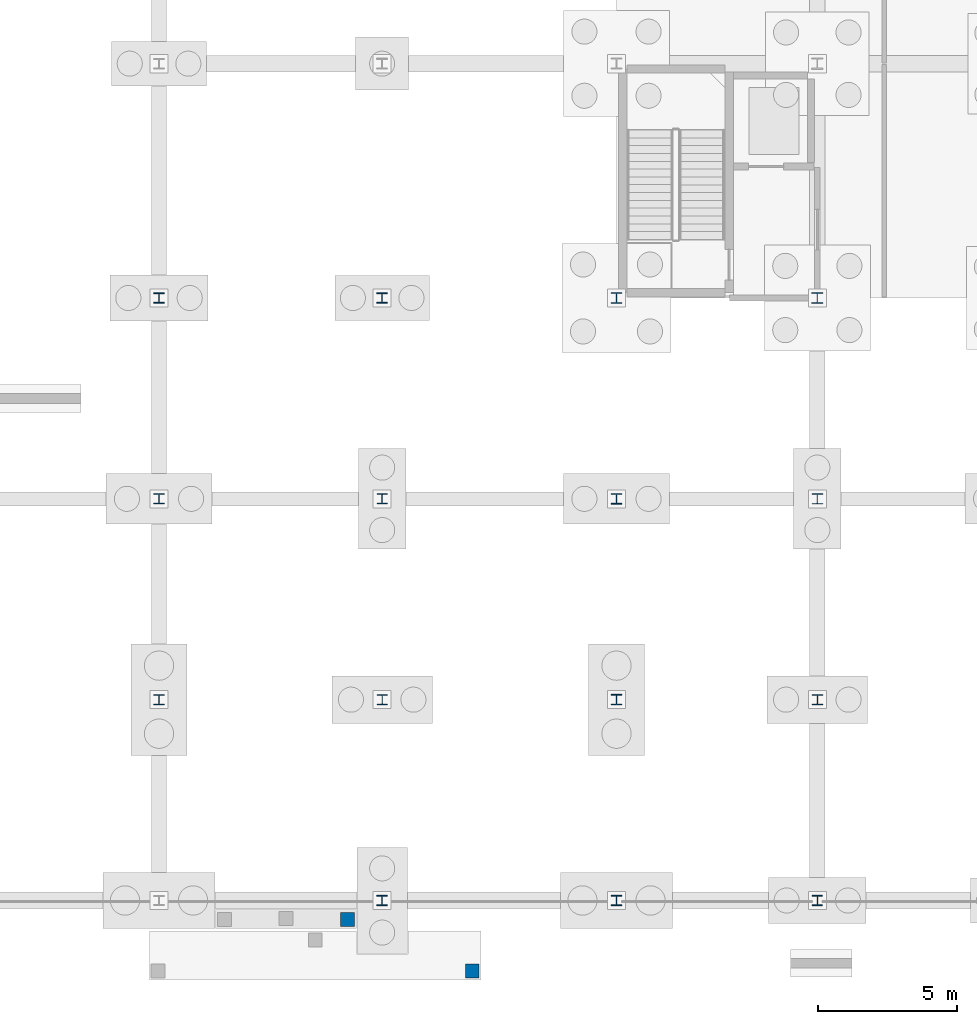
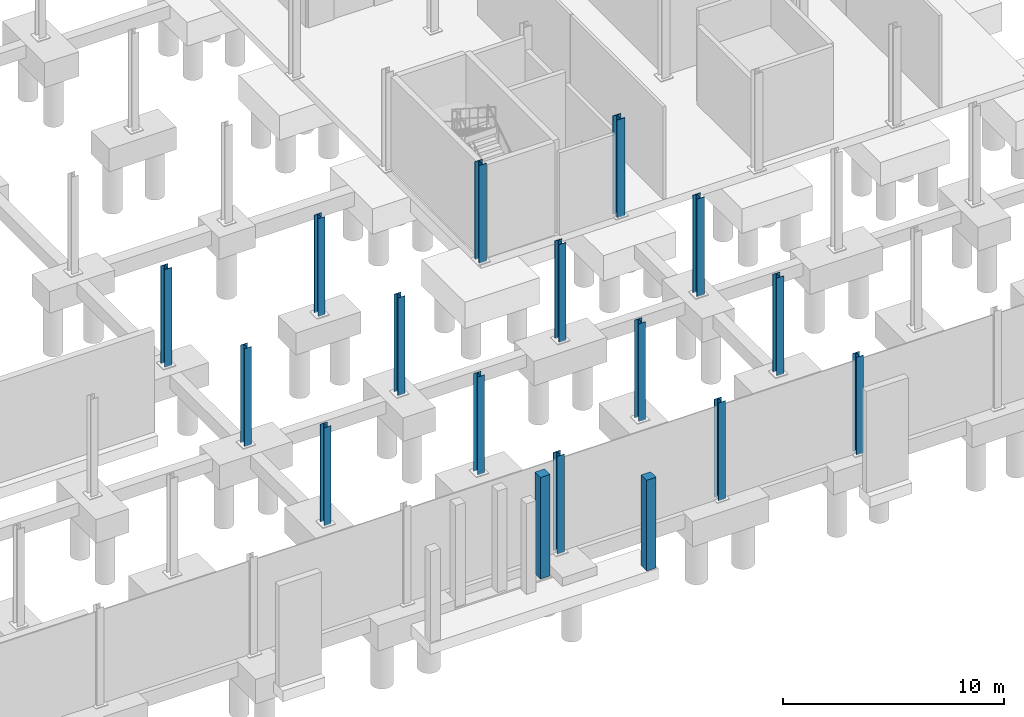
# One storey, part 19 of 61: 17 columns.
"""IFC4 building model written with IfcOpenShell, lengths in metres."""

from ifc_helpers import new_model, si_unit, direction, frame, origin, origin_2d, place, context, subcontext, project, spatial, rectangle, i_section, extrude, material, material_profile, profile_set, type_object, element, save


model = new_model("IFC4")

# Units and contexts
model_context = context("Model", 3, precision=1e-05, world=origin(), true_north=direction((0.0, 1.0)))
body_context = subcontext(model_context, "Body", "Model", "MODEL_VIEW")
ifc_project = project(units=[si_unit("LENGTHUNIT", "METRE"), si_unit("AREAUNIT", "SQUARE_METRE"), si_unit("VOLUMEUNIT", "CUBIC_METRE"), si_unit("PLANEANGLEUNIT", "RADIAN"), si_unit("MASSUNIT", "GRAM", prefix="KILO")], contexts=[model_context])

# Site, building, storey
site_placement = place(None, origin())
site = spatial("IfcSite", under=ifc_project, at=site_placement, CompositionType="ELEMENT")
building_placement = place(site_placement, origin())
building = spatial("IfcBuilding", under=site, at=building_placement, Name="Calvrana Isthmian Art Gallery", CompositionType="ELEMENT")
storey_placement = place(building_placement, frame((0.0, 0.0, -5.39990234375)))
storey = spatial("IfcBuildingStorey", under=building, at=storey_placement, Name="B1", CompositionType="ELEMENT", Elevation=-5.39990234375)

# Columns
ifc_material_1 = material(Name="Concrete C40/50", Category="concrete")
ifc_material_profile_1 = material_profile(ifc_material_1, rectangle(XDim=0.5, YDim=0.5, at=origin_2d()), Name="RC500X500")
ifc_profile_set_1 = profile_set([ifc_material_profile_1], Name="Concrete C40/50")
column_type_1 = type_object("IfcColumnType", Name="COL-RC-RC500X500", PredefinedType="COLUMN", material=ifc_profile_set_1)
column_1_placement = place(storey_placement, frame((103.159912109375, -0.679931640625, -0.4501953125), z_axis=(0.0, 0.0, 1.0), x_axis=(1.0, 0.0, 0.0)))
element("IfcColumn", 1, at=column_1_placement, inside=storey, type_object=column_type_1, Name="Apron pedestal SLB_APR_SE_INNER-B", PredefinedType="COLUMN", context=body_context, shape_type="SweptSolid", body=[
    extrude(rectangle(XDim=0.5, YDim=0.5, at=origin_2d()), origin(), (0.0, 0.0, 1.0), 5.60009765625),
])
column_2_placement = place(storey_placement, frame((107.6298828125, -2.530029296875, -0.4501953125), z_axis=(0.0, 0.0, 1.0), x_axis=(1.0, 0.0, 0.0)))
element("IfcColumn", 2, at=column_2_placement, inside=storey, type_object=column_type_1, Name="Apron pedestal SLB_APR_SE_BENCH-B", PredefinedType="COLUMN", context=body_context, shape_type="SweptSolid", body=[
    extrude(rectangle(XDim=0.5, YDim=0.5, at=origin_2d()), origin(), (0.0, 0.0, 1.0), 5.0),
])
ifc_material_2 = material(Name="Steel ASTM A992 Gr 50", Category="steel")
ifc_material_profile_2 = material_profile(ifc_material_2, i_section(OverallWidth=0.37109375, OverallDepth=0.363037109375, WebThickness=0.01318359375, FlangeThickness=0.021728515625, FilletRadius=0.02490234375, at=origin_2d()), Name="W14X109")
ifc_profile_set_2 = profile_set([ifc_material_profile_2], Name="Steel ASTM A992 Gr 50")
column_type_2 = type_object("IfcColumnType", Name="COL-STL-W14X109", PredefinedType="COLUMN", material=ifc_profile_set_2)
for number, where, z_axis, x_axis, name in (
    (3, (96.39990234375, 7.199951171875, 0.0), (0.0, 0.0, 1.0), (1.0, 0.0, 0.0), "Column 13/B B1"),
    (4, (104.39990234375, 14.39990234375, 0.0), (0.0, 0.0, 1.0), (1.0, 0.0, 0.0), "Column 14/C B1"),
    (5, (120.0, 0.0, 0.0), (0.0, 0.0, 1.0), (1.0, 0.0, 0.0), "Column 16/A B1"),
):
    element("IfcColumn", number, at=place(storey_placement, frame(where, z_axis=z_axis, x_axis=x_axis)), inside=storey, type_object=column_type_2, Name=name, PredefinedType="COLUMN", context=body_context, shape_type="SweptSolid", body=[
        extrude(i_section(OverallWidth=0.37109375, OverallDepth=0.363037109375, WebThickness=0.01318359375, FlangeThickness=0.021728515625, FilletRadius=0.02490234375, at=origin_2d()), origin(), (0.0, 0.0, 1.0), 5.39990234375),
    ])
ifc_material_profile_3 = material_profile(ifc_material_2, i_section(OverallWidth=0.373046875, OverallDepth=0.367919921875, WebThickness=0.014892578125, FlangeThickness=0.02392578125, FilletRadius=0.02490234375, at=origin_2d()), Name="W14X120")
ifc_profile_set_3 = profile_set([ifc_material_profile_3], Name="Steel ASTM A992 Gr 50")
column_type_3 = type_object("IfcColumnType", Name="COL-STL-W14X120", PredefinedType="COLUMN", material=ifc_profile_set_3)
for number, where, z_axis, x_axis, name in (
    (6, (96.39990234375, 14.39990234375, 0.0), (0.0, 0.0, 1.0), (1.0, 0.0, 0.0), "Column 13/C B1"),
    (7, (104.39990234375, 21.60009765625, 0.0), (0.0, 0.0, 1.0), (1.0, 0.0, 0.0), "Column 14/D B1"),
    (8, (112.800048828125, 0.0, 0.0), (0.0, 0.0, 1.0), (1.0, 0.0, 0.0), "Column 15/A B1"),
    (9, (120.0, 7.199951171875, 0.0), (0.0, 0.0, 1.0), (1.0, 0.0, 0.0), "Column 16/B B1"),
):
    element("IfcColumn", number, at=place(storey_placement, frame(where, z_axis=z_axis, x_axis=x_axis)), inside=storey, type_object=column_type_3, Name=name, PredefinedType="COLUMN", context=body_context, shape_type="SweptSolid", body=[
        extrude(i_section(OverallWidth=0.373046875, OverallDepth=0.367919921875, WebThickness=0.014892578125, FlangeThickness=0.02392578125, FilletRadius=0.02490234375, at=origin_2d()), origin(), (0.0, 0.0, 1.0), 5.39990234375),
    ])
ifc_material_profile_4 = material_profile(ifc_material_2, i_section(OverallWidth=0.373046875, OverallDepth=0.373046875, WebThickness=0.016357421875, FlangeThickness=0.026123046875, FilletRadius=0.02490234375, at=origin_2d()), Name="W14X132")
ifc_profile_set_4 = profile_set([ifc_material_profile_4], Name="Steel ASTM A992 Gr 50")
column_type_4 = type_object("IfcColumnType", Name="COL-STL-W14X132", PredefinedType="COLUMN", material=ifc_profile_set_4)
for number, where, z_axis, x_axis, name in (
    (10, (96.39990234375, 21.60009765625, 0.0), (0.0, 0.0, 1.0), (1.0, 0.0, 0.0), "Column 13/D B1"),
    (11, (104.39990234375, 0.0, 0.0), (0.0, 0.0, 1.0), (1.0, 0.0, 0.0), "Column 14/A B1"),
    (12, (112.800048828125, 7.199951171875, 0.0), (0.0, 0.0, 1.0), (1.0, 0.0, 0.0), "Column 15/B B1"),
    (13, (112.800048828125, 14.39990234375, 0.0), (0.0, 0.0, 1.0), (1.0, 0.0, 0.0), "Column 15/C B1"),
):
    element("IfcColumn", number, at=place(storey_placement, frame(where, z_axis=z_axis, x_axis=x_axis)), inside=storey, type_object=column_type_4, Name=name, PredefinedType="COLUMN", context=body_context, shape_type="SweptSolid", body=[
        extrude(i_section(OverallWidth=0.373046875, OverallDepth=0.373046875, WebThickness=0.016357421875, FlangeThickness=0.026123046875, FilletRadius=0.02490234375, at=origin_2d()), origin(), (0.0, 0.0, 1.0), 5.39990234375),
    ])
ifc_material_profile_5 = material_profile(ifc_material_2, i_section(OverallWidth=0.39892578125, OverallDepth=0.385986328125, WebThickness=0.02099609375, FlangeThickness=0.033203125, FilletRadius=0.02490234375, at=origin_2d()), Name="W14X176")
ifc_profile_set_5 = profile_set([ifc_material_profile_5], Name="Steel ASTM A992 Gr 50")
column_type_5 = type_object("IfcColumnType", Name="COL-STL-W14X176", PredefinedType="COLUMN", material=ifc_profile_set_5)
for number, where, z_axis, x_axis, name in (
    (14, (112.800048828125, 21.60009765625, 0.0), (0.0, 0.0, 1.0), (1.0, 0.0, 0.0), "Column 15/D B1"),
    (15, (120.0, 14.39990234375, 0.0), (0.0, 0.0, 1.0), (1.0, 0.0, 0.0), "Column 16/C B1"),
):
    element("IfcColumn", number, at=place(storey_placement, frame(where, z_axis=z_axis, x_axis=x_axis)), inside=storey, type_object=column_type_5, Name=name, PredefinedType="COLUMN", context=body_context, shape_type="SweptSolid", body=[
        extrude(i_section(OverallWidth=0.39892578125, OverallDepth=0.385986328125, WebThickness=0.02099609375, FlangeThickness=0.033203125, FilletRadius=0.02490234375, at=origin_2d()), origin(), (0.0, 0.0, 1.0), 5.39990234375),
    ])
ifc_material_profile_6 = material_profile(ifc_material_2, i_section(OverallWidth=0.404052734375, OverallDepth=0.406005859375, WebThickness=0.027099609375, FlangeThickness=0.043701171875, FilletRadius=0.02490234375, at=origin_2d()), Name="W14X233")
ifc_profile_set_6 = profile_set([ifc_material_profile_6], Name="Steel ASTM A992 Gr 50")
column_type_6 = type_object("IfcColumnType", Name="COL-STL-W14X233", PredefinedType="COLUMN", material=ifc_profile_set_6)
column_3_placement = place(storey_placement, frame((120.0, 21.60009765625, 0.0), z_axis=(0.0, 0.0, 1.0), x_axis=(1.0, 0.0, 0.0)))
element("IfcColumn", 16, at=column_3_placement, inside=storey, type_object=column_type_6, Name="Column 16/D B1", PredefinedType="COLUMN", context=body_context, shape_type="SweptSolid", body=[
    extrude(i_section(OverallWidth=0.404052734375, OverallDepth=0.406005859375, WebThickness=0.027099609375, FlangeThickness=0.043701171875, FilletRadius=0.02490234375, at=origin_2d()), origin(), (0.0, 0.0, 1.0), 5.39990234375),
])
ifc_material_profile_7 = material_profile(ifc_material_2, i_section(OverallWidth=0.367919921875, OverallDepth=0.35595703125, WebThickness=0.01123046875, FlangeThickness=0.01806640625, FilletRadius=0.02490234375, at=origin_2d()), Name="W14X90")
ifc_profile_set_7 = profile_set([ifc_material_profile_7], Name="Steel ASTM A992 Gr 50")
column_type_7 = type_object("IfcColumnType", Name="COL-STL-W14X90", PredefinedType="COLUMN", material=ifc_profile_set_7)
column_4_placement = place(storey_placement, frame((104.39990234375, 7.199951171875, 0.0), z_axis=(0.0, 0.0, 1.0), x_axis=(1.0, 0.0, 0.0)))
element("IfcColumn", 17, at=column_4_placement, inside=storey, type_object=column_type_7, Name="Column 14/B B1", PredefinedType="COLUMN", context=body_context, shape_type="SweptSolid", body=[
    extrude(i_section(OverallWidth=0.367919921875, OverallDepth=0.35595703125, WebThickness=0.01123046875, FlangeThickness=0.01806640625, FilletRadius=0.02490234375, at=origin_2d()), origin(), (0.0, 0.0, 1.0), 5.39990234375),
])

save(model, "model.ifc")
